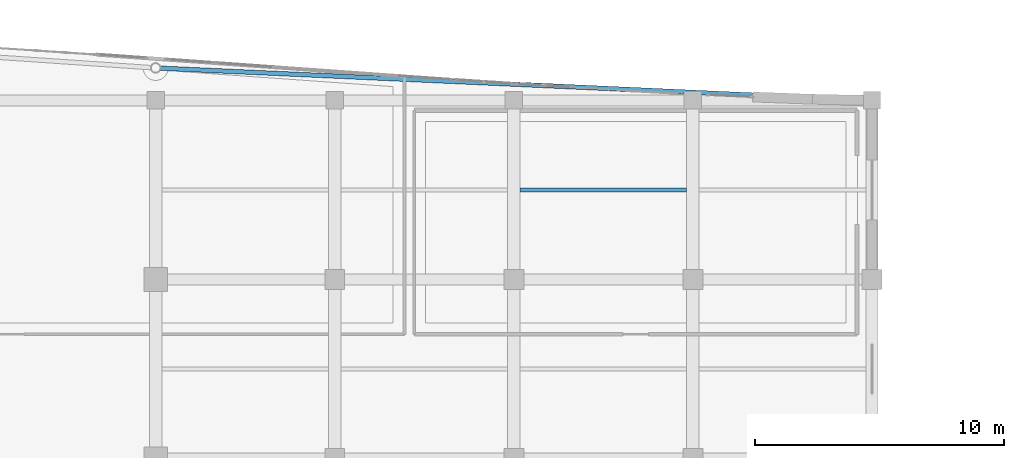
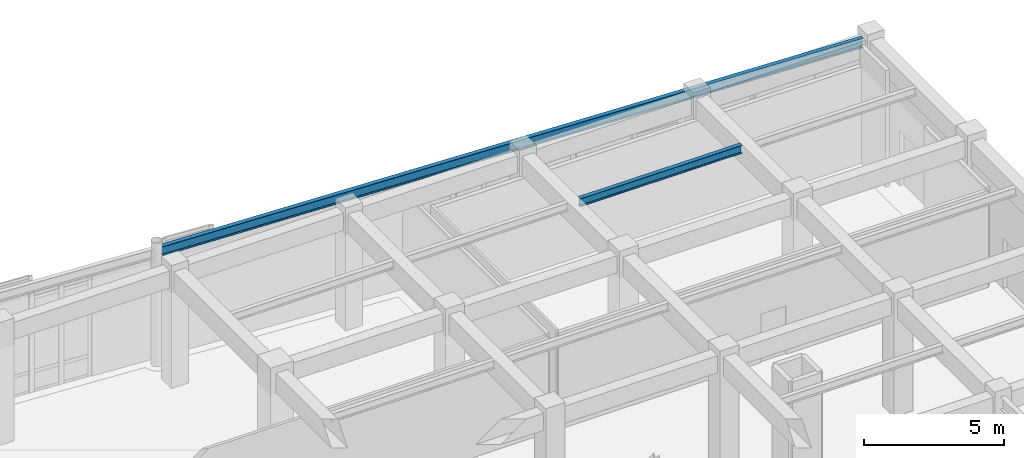
# One storey, part 57 of 102: 2 beams.
"""IFC4 building model written with IfcOpenShell, lengths in metres."""

import ifcopenshell
import ifcopenshell.guid

model = None  # the IFC model being written
_history = None  # IfcOwnerHistory: only IFC2X3 demands one
_inside = {}  # id of a spatial element -> (the spatial element, [elements in it])
_under = {}  # id of a project, library or spatial element -> (it, [spatial elements below it])
_declared = {}  # id of a project -> (the project, [libraries it declares])
_typed = {}  # id of a type object -> (the type object, [elements of that type])
_made_of = {}  # id of a material, layer set ... -> (it, [elements and type objects made of it])


def new_model(schema):
    """Start an empty IFC model of exactly this schema.

    Asked for "IFC4X3", IfcOpenShell would pick the latest addendum, in which some entities
    have other attributes; the version numbers below select the first issue.
    IFC2X3 requires an IfcOwnerHistory on every rooted entity: one is made here for all.
    """
    global model, _history
    if schema == "IFC4X3":
        model = ifcopenshell.file(schema_version=(4, 3, 0, 0))
    else:
        model = ifcopenshell.file(schema=schema)
    _inside.clear()
    _under.clear()
    _declared.clear()
    _typed.clear()
    _made_of.clear()
    _history = None
    if model.schema == "IFC2X3":
        org = make("IfcOrganization", Name="unknown")
        user = make(
            "IfcPersonAndOrganization",
            ThePerson=make("IfcPerson", FamilyName="unknown"),
            TheOrganization=org,
        )
        app = make(
            "IfcApplication",
            ApplicationDeveloper=org,
            Version="unknown",
            ApplicationFullName="unknown",
            ApplicationIdentifier="unknown",
        )
        _history = make(
            "IfcOwnerHistory",
            OwningUser=user,
            OwningApplication=app,
            ChangeAction="ADDED",
            CreationDate=0,
        )
    return model


def make(cls, **values):
    """One entity of the class cls with the attributes given. An attribute that is None is left unset."""
    return model.create_entity(
        cls, **{name: value for name, value in values.items() if value is not None}
    )


def rooted(cls, **values):
    """An entity with a GlobalId (a new one), such as an element, a storey or a relation."""
    return make(cls, GlobalId=ifcopenshell.guid.new(), OwnerHistory=_history, **values)


def si_unit(unit_type, name, prefix=None):
    """IfcSIUnit, for example si_unit("LENGTHUNIT", "METRE", prefix="MILLI")."""
    return make("IfcSIUnit", UnitType=unit_type, Prefix=prefix, Name=name)


def assignment(units):
    """IfcUnitAssignment: the units of a project."""
    return None if units is None else make("IfcUnitAssignment", Units=units)


def point(xyz):
    """IfcCartesianPoint."""
    return None if xyz is None else make("IfcCartesianPoint", Coordinates=xyz)


def direction(xyz):
    """IfcDirection."""
    return None if xyz is None else make("IfcDirection", DirectionRatios=xyz)


def frame(location, z_axis=None, x_axis=None):
    """IfcAxis2Placement3D, a coordinate frame: its origin and axes. An axis left out is left unset."""
    return make(
        "IfcAxis2Placement3D",
        Location=point(location),
        Axis=direction(z_axis),
        RefDirection=direction(x_axis),
    )


def frame_2d(location, x_axis=None):
    """IfcAxis2Placement2D, a coordinate frame in the plane: its origin and x axis."""
    return make(
        "IfcAxis2Placement2D", Location=point(location), RefDirection=direction(x_axis)
    )


def origin():
    """The frame at (0, 0, 0) with its axes left unset."""
    return frame((0.0, 0.0, 0.0))


def origin_2d():
    """The frame at (0, 0) in the plane with its x axis left unset."""
    return frame_2d((0.0, 0.0))


def place(relative_to, where):
    """IfcLocalPlacement: puts the frame where relative to a parent placement (None: the world)."""
    return make(
        "IfcLocalPlacement", PlacementRelTo=relative_to, RelativePlacement=where
    )


def context(
    kind, dimensions, precision=None, world=None, true_north=None, identifier=None
):
    """IfcGeometricRepresentationContext, for example the 3D "Model" context."""
    return make(
        "IfcGeometricRepresentationContext",
        ContextIdentifier=identifier,
        ContextType=kind,
        CoordinateSpaceDimension=dimensions,
        Precision=precision,
        WorldCoordinateSystem=world,
        TrueNorth=true_north,
    )


def subcontext(parent, identifier, kind, view, scale=None):
    """IfcGeometricRepresentationSubContext, for example "Body" below "Model"."""
    return make(
        "IfcGeometricRepresentationSubContext",
        ContextIdentifier=identifier,
        ContextType=kind,
        ParentContext=parent,
        TargetScale=scale,
        TargetView=view,
    )


def project(units=None, contexts=None):
    """IfcProject with its units and contexts."""
    return rooted(
        "IfcProject",
        Name="project",
        RepresentationContexts=contexts,
        UnitsInContext=assignment(units),
    )


def spatial(cls, under=None, at=None, **own):
    """A site, building, storey or space (cls), placed at a placement, below another one or the project."""
    s = rooted(cls, ObjectPlacement=at, **own)
    if under is not None:
        _under.setdefault(under.id(), (under, []))[1].append(s)
    return s


def profile(cls, at=None, kind="AREA", **sizes):
    """A parametric profile (cls). Its sizes go by their IFC names, for example OverallWidth=200.0."""
    return make(cls, ProfileType=kind, Position=at, **sizes)


def i_section(**sizes):
    """IfcIShapeProfileDef."""
    return profile("IfcIShapeProfileDef", **sizes)


def extrude(swept, where, along, depth):
    """IfcExtrudedAreaSolid: the profile swept, set in the frame where, extruded along a direction by depth."""
    return make(
        "IfcExtrudedAreaSolid",
        SweptArea=swept,
        Position=where,
        ExtrudedDirection=direction(along),
        Depth=depth,
    )


def shape(context_of_items, identifier, shape_type, items):
    """IfcShapeRepresentation: the items that make up one representation, for example the "Body"."""
    return make(
        "IfcShapeRepresentation",
        ContextOfItems=context_of_items,
        RepresentationIdentifier=identifier,
        RepresentationType=shape_type,
        Items=items,
    )


def material(Name=None, Category=None):
    """IfcMaterial."""
    return make("IfcMaterial", Name=Name, Category=Category)


def material_profile(
    of_material, cross_section, Name=None, Category=None, Priority=None
):
    """IfcMaterialProfile: a cross section and its material."""
    return make(
        "IfcMaterialProfile",
        Name=Name,
        Material=of_material,
        Profile=cross_section,
        Priority=Priority,
        Category=Category,
    )


def profile_set(profiles, Name=None, composite=None):
    """IfcMaterialProfileSet."""
    return make(
        "IfcMaterialProfileSet",
        Name=Name,
        MaterialProfiles=profiles,
        CompositeProfile=composite,
    )


def made_of(thing, what):
    """Note that an element or type object is made of a material, layer set ...; save() writes the relation."""
    if what is not None:
        _made_of.setdefault(what.id(), (what, []))[1].append(thing)
    return thing


def type_object(cls, material=None, **own):
    """A type object (cls), such as IfcWallType, which elements share."""
    return made_of(rooted(cls, **own), material)


def element(
    cls,
    number,
    at=None,
    inside=None,
    cuts=None,
    type_object=None,
    material=None,
    context=None,
    identifier="Body",
    shape_type=None,
    held_by="IfcProductDefinitionShape",
    body=None,
    shapes=None,
    **own,
):
    """One element of the class cls, such as IfcWall. Its Tag is "e" and its number.

    at: its placement. inside: the storey or other place that contains it. cuts: it is an
    opening in that element (IfcRelVoidsElement). A single representation is given by context,
    identifier, shape_type and body (its items); several are given by shapes. held_by: the class
    of the entity that holds the representations. save() writes the other relations.
    """
    e = rooted(cls, Tag="e%d" % number, ObjectPlacement=at, **own)
    if body is not None:
        shapes = [shape(context, identifier, shape_type, body)]
    if shapes is not None:
        e.Representation = make(held_by, Representations=shapes)
    if inside is not None:
        _inside.setdefault(inside.id(), (inside, []))[1].append(e)
    if cuts is not None:
        rooted(
            "IfcRelVoidsElement", RelatingBuildingElement=cuts, RelatedOpeningElement=e
        )
    if type_object is not None:
        _typed.setdefault(type_object.id(), (type_object, []))[1].append(e)
    return made_of(e, material)


def aggregate(whole, parts):
    """IfcRelAggregates: a whole, such as a stair, and the parts it consists of."""
    return rooted("IfcRelAggregates", RelatingObject=whole, RelatedObjects=parts)


def save(model, path):
    """Write the relations noted so far, then the file.

    IfcRelAggregates (storeys below a building ...), IfcRelContainedInSpatialStructure (elements
    in a storey), IfcRelDefinesByType, IfcRelAssociatesMaterial and IfcRelDeclares: one each for
    every whole, place, type object, material and project.
    """
    for whole, parts in _under.values():
        aggregate(whole, parts)
    for where, things in _inside.values():
        rooted(
            "IfcRelContainedInSpatialStructure",
            RelatedElements=things,
            RelatingStructure=where,
        )
    for kind, things in _typed.values():
        rooted("IfcRelDefinesByType", RelatedObjects=things, RelatingType=kind)
    for what, things in _made_of.values():
        rooted("IfcRelAssociatesMaterial", RelatedObjects=things, RelatingMaterial=what)
    for by, libraries in _declared.values():
        rooted("IfcRelDeclares", RelatingContext=by, RelatedDefinitions=libraries)
    model.write(path)


model = new_model("IFC4")

# Units and contexts
model_context = context("Model", 3, precision=1e-05, world=origin(), true_north=direction((0.0, 1.0)))
body_context = subcontext(model_context, "Body", "Model", "MODEL_VIEW")
ifc_project = project(units=[si_unit("LENGTHUNIT", "METRE"), si_unit("AREAUNIT", "SQUARE_METRE"), si_unit("VOLUMEUNIT", "CUBIC_METRE"), si_unit("PLANEANGLEUNIT", "RADIAN"), si_unit("MASSUNIT", "GRAM", prefix="KILO")], contexts=[model_context])

# Site, building, storey
site_placement = place(None, origin())
site = spatial("IfcSite", under=ifc_project, at=site_placement, CompositionType="ELEMENT")
building_placement = place(site_placement, origin())
building = spatial("IfcBuilding", under=site, at=building_placement, Name="Carrowvane Square Congress Hotel", CompositionType="ELEMENT")
storey_placement = place(building_placement, origin())
storey = spatial("IfcBuildingStorey", under=building, at=storey_placement, Name="L00", CompositionType="ELEMENT", Elevation=0.0)

# Beams
ifc_material_1 = material(Name="Steel S355", Category="steel")
ifc_material_profile_1 = material_profile(ifc_material_1, i_section(OverallWidth=0.172119140625, OverallDepth=0.35791015625, WebThickness=0.008056640625, FlangeThickness=0.012939453125, FilletRadius=0.01025390625, at=origin_2d()), Name="UKB 356x171x57")
ifc_profile_set_1 = profile_set([ifc_material_profile_1], Name="Steel S355")
beam_type_1 = type_object("IfcBeamType", Name="BM-ST-UKB356", PredefinedType="JOIST", material=ifc_profile_set_1)
beam_1_placement = place(storey_placement, frame((148.64990234375, 109.800048828125, 4.9208984375), z_axis=(1.0, 0.0, 0.0), x_axis=(0.0, 1.0, 0.0)))
element("IfcBeam", 1, at=beam_1_placement, inside=storey, type_object=beam_type_1, Name="L01 secondary joist 20-21", PredefinedType="JOIST", context=body_context, shape_type="SweptSolid", body=[
    extrude(i_section(OverallWidth=0.172119140625, OverallDepth=0.35791015625, WebThickness=0.008056640625, FlangeThickness=0.012939453125, FilletRadius=0.01025390625, at=origin_2d()), origin(), (0.0, 0.0, 1.0), 6.7001953125),
])
ifc_material_2 = material(Name="Steel S355", Category="steel")
ifc_material_profile_2 = material_profile(ifc_material_2, i_section(OverallWidth=0.1787109375, OverallDepth=0.409423828125, WebThickness=0.0087890625, FlangeThickness=0.014404296875, FilletRadius=0.01025390625, at=origin_2d()), Name="UKB 406x178x67")
ifc_profile_set_2 = profile_set([ifc_material_profile_2], Name="Steel S355")
beam_type_2 = type_object("IfcBeamType", Name="BM-ST-UKB406", PredefinedType="BEAM", material=ifc_profile_set_2)
beam_2_placement = place(storey_placement, frame((134.202880859375, 114.69677734375, 4.895263671875), z_axis=(0.998973305659, -0.045302699476, 0.0), x_axis=(0.045302699476, 0.998973305659, 0.0)))
element("IfcBeam", 2, at=beam_2_placement, inside=storey, type_object=beam_type_2, Name="L01 curved north spandrel", PredefinedType="BEAM", context=body_context, shape_type="SweptSolid", body=[
    extrude(i_section(OverallWidth=0.1787109375, OverallDepth=0.409423828125, WebThickness=0.0087890625, FlangeThickness=0.014404296875, FilletRadius=0.01025390625, at=origin_2d()), origin(), (0.0, 0.0, 1.0), 28.276611328125),
])

save(model, "model.ifc")
